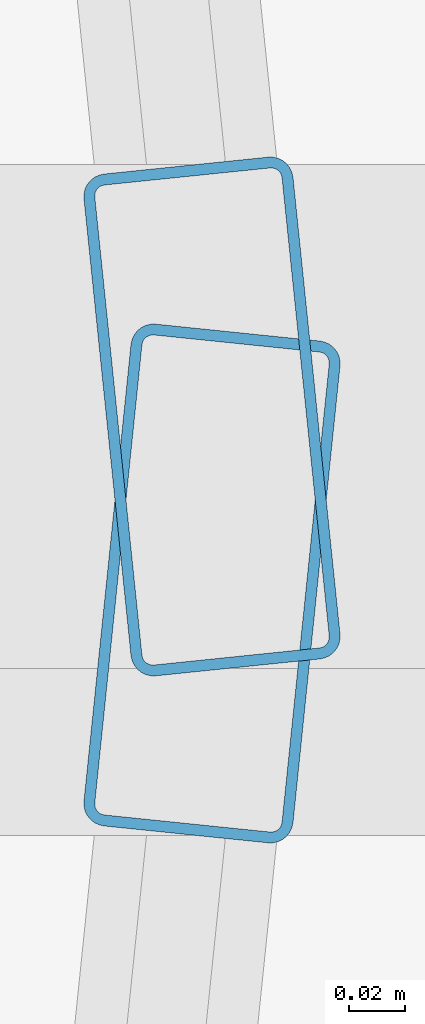
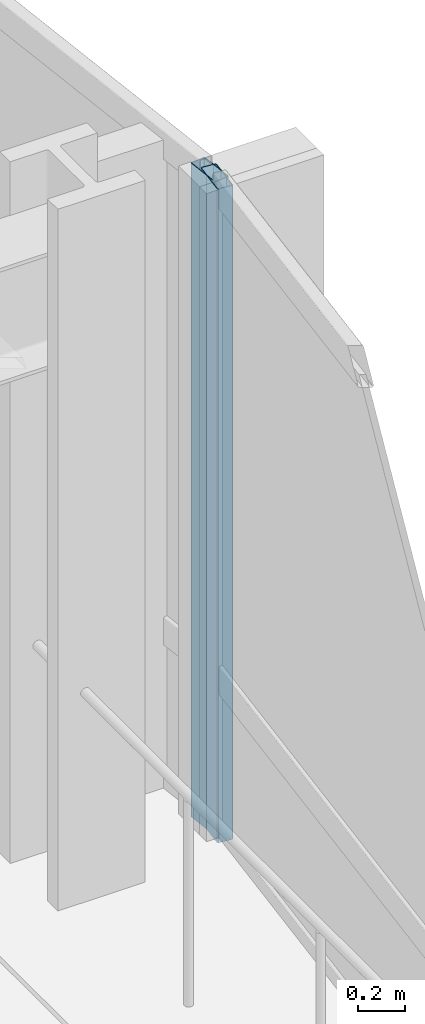
# One storey, part 25 of 34: 2 members, 2 elements without a shape of their own.
"""IFC4 building model written with IfcOpenShell, lengths in metres."""

import ifcopenshell
import ifcopenshell.guid

model = None  # the IFC model being written
_history = None  # IfcOwnerHistory: only IFC2X3 demands one
_inside = {}  # id of a spatial element -> (the spatial element, [elements in it])
_under = {}  # id of a project, library or spatial element -> (it, [spatial elements below it])
_declared = {}  # id of a project -> (the project, [libraries it declares])
_typed = {}  # id of a type object -> (the type object, [elements of that type])
_made_of = {}  # id of a material, layer set ... -> (it, [elements and type objects made of it])


def new_model(schema):
    """Start an empty IFC model of exactly this schema.

    Asked for "IFC4X3", IfcOpenShell would pick the latest addendum, in which some entities
    have other attributes; the version numbers below select the first issue.
    IFC2X3 requires an IfcOwnerHistory on every rooted entity: one is made here for all.
    """
    global model, _history
    if schema == "IFC4X3":
        model = ifcopenshell.file(schema_version=(4, 3, 0, 0))
    else:
        model = ifcopenshell.file(schema=schema)
    _inside.clear()
    _under.clear()
    _declared.clear()
    _typed.clear()
    _made_of.clear()
    _history = None
    if model.schema == "IFC2X3":
        org = make("IfcOrganization", Name="unknown")
        user = make(
            "IfcPersonAndOrganization",
            ThePerson=make("IfcPerson", FamilyName="unknown"),
            TheOrganization=org,
        )
        app = make(
            "IfcApplication",
            ApplicationDeveloper=org,
            Version="unknown",
            ApplicationFullName="unknown",
            ApplicationIdentifier="unknown",
        )
        _history = make(
            "IfcOwnerHistory",
            OwningUser=user,
            OwningApplication=app,
            ChangeAction="ADDED",
            CreationDate=0,
        )
    return model


def make(cls, **values):
    """One entity of the class cls with the attributes given. An attribute that is None is left unset."""
    return model.create_entity(
        cls, **{name: value for name, value in values.items() if value is not None}
    )


def rooted(cls, **values):
    """An entity with a GlobalId (a new one), such as an element, a storey or a relation."""
    return make(cls, GlobalId=ifcopenshell.guid.new(), OwnerHistory=_history, **values)


def si_unit(unit_type, name, prefix=None):
    """IfcSIUnit, for example si_unit("LENGTHUNIT", "METRE", prefix="MILLI")."""
    return make("IfcSIUnit", UnitType=unit_type, Prefix=prefix, Name=name)


def assignment(units):
    """IfcUnitAssignment: the units of a project."""
    return None if units is None else make("IfcUnitAssignment", Units=units)


def point(xyz):
    """IfcCartesianPoint."""
    return None if xyz is None else make("IfcCartesianPoint", Coordinates=xyz)


def direction(xyz):
    """IfcDirection."""
    return None if xyz is None else make("IfcDirection", DirectionRatios=xyz)


def frame(location, z_axis=None, x_axis=None):
    """IfcAxis2Placement3D, a coordinate frame: its origin and axes. An axis left out is left unset."""
    return make(
        "IfcAxis2Placement3D",
        Location=point(location),
        Axis=direction(z_axis),
        RefDirection=direction(x_axis),
    )


def frame_2d(location, x_axis=None):
    """IfcAxis2Placement2D, a coordinate frame in the plane: its origin and x axis."""
    return make(
        "IfcAxis2Placement2D", Location=point(location), RefDirection=direction(x_axis)
    )


def origin():
    """The frame at (0, 0, 0) with its axes left unset."""
    return frame((0.0, 0.0, 0.0))


def origin_2d():
    """The frame at (0, 0) in the plane with its x axis left unset."""
    return frame_2d((0.0, 0.0))


def place(relative_to, where):
    """IfcLocalPlacement: puts the frame where relative to a parent placement (None: the world)."""
    return make(
        "IfcLocalPlacement", PlacementRelTo=relative_to, RelativePlacement=where
    )


def context(
    kind, dimensions, precision=None, world=None, true_north=None, identifier=None
):
    """IfcGeometricRepresentationContext, for example the 3D "Model" context."""
    return make(
        "IfcGeometricRepresentationContext",
        ContextIdentifier=identifier,
        ContextType=kind,
        CoordinateSpaceDimension=dimensions,
        Precision=precision,
        WorldCoordinateSystem=world,
        TrueNorth=true_north,
    )


def subcontext(parent, identifier, kind, view, scale=None):
    """IfcGeometricRepresentationSubContext, for example "Body" below "Model"."""
    return make(
        "IfcGeometricRepresentationSubContext",
        ContextIdentifier=identifier,
        ContextType=kind,
        ParentContext=parent,
        TargetScale=scale,
        TargetView=view,
    )


def project(units=None, contexts=None):
    """IfcProject with its units and contexts."""
    return rooted(
        "IfcProject",
        Name="project",
        RepresentationContexts=contexts,
        UnitsInContext=assignment(units),
    )


def spatial(cls, under=None, at=None, **own):
    """A site, building, storey or space (cls), placed at a placement, below another one or the project."""
    s = rooted(cls, ObjectPlacement=at, **own)
    if under is not None:
        _under.setdefault(under.id(), (under, []))[1].append(s)
    return s


def profile(cls, at=None, kind="AREA", **sizes):
    """A parametric profile (cls). Its sizes go by their IFC names, for example OverallWidth=200.0."""
    return make(cls, ProfileType=kind, Position=at, **sizes)


def hollow_rectangle(**sizes):
    """IfcRectangleHollowProfileDef."""
    return profile("IfcRectangleHollowProfileDef", **sizes)


def extrude(swept, where, along, depth):
    """IfcExtrudedAreaSolid: the profile swept, set in the frame where, extruded along a direction by depth."""
    return make(
        "IfcExtrudedAreaSolid",
        SweptArea=swept,
        Position=where,
        ExtrudedDirection=direction(along),
        Depth=depth,
    )


def shape(context_of_items, identifier, shape_type, items):
    """IfcShapeRepresentation: the items that make up one representation, for example the "Body"."""
    return make(
        "IfcShapeRepresentation",
        ContextOfItems=context_of_items,
        RepresentationIdentifier=identifier,
        RepresentationType=shape_type,
        Items=items,
    )


def material(Name=None, Category=None):
    """IfcMaterial."""
    return make("IfcMaterial", Name=Name, Category=Category)


def layer(
    of_material, thickness, ventilated=None, Name=None, Category=None, Priority=None
):
    """IfcMaterialLayer: one layer of a wall or slab, of a material (None: an air gap)."""
    return make(
        "IfcMaterialLayer",
        Material=of_material,
        LayerThickness=thickness,
        IsVentilated=ventilated,
        Name=Name,
        Category=Category,
        Priority=Priority,
    )


def layer_set(layers, Name=None):
    """IfcMaterialLayerSet."""
    return make("IfcMaterialLayerSet", MaterialLayers=layers, LayerSetName=Name)


def material_profile(
    of_material, cross_section, Name=None, Category=None, Priority=None
):
    """IfcMaterialProfile: a cross section and its material."""
    return make(
        "IfcMaterialProfile",
        Name=Name,
        Material=of_material,
        Profile=cross_section,
        Priority=Priority,
        Category=Category,
    )


def profile_set(profiles, Name=None, composite=None):
    """IfcMaterialProfileSet."""
    return make(
        "IfcMaterialProfileSet",
        Name=Name,
        MaterialProfiles=profiles,
        CompositeProfile=composite,
    )


def made_of(thing, what):
    """Note that an element or type object is made of a material, layer set ...; save() writes the relation."""
    if what is not None:
        _made_of.setdefault(what.id(), (what, []))[1].append(thing)
    return thing


def type_object(cls, material=None, **own):
    """A type object (cls), such as IfcWallType, which elements share."""
    return made_of(rooted(cls, **own), material)


def element(
    cls,
    number,
    at=None,
    inside=None,
    cuts=None,
    type_object=None,
    material=None,
    context=None,
    identifier="Body",
    shape_type=None,
    held_by="IfcProductDefinitionShape",
    body=None,
    shapes=None,
    **own,
):
    """One element of the class cls, such as IfcWall. Its Tag is "e" and its number.

    at: its placement. inside: the storey or other place that contains it. cuts: it is an
    opening in that element (IfcRelVoidsElement). A single representation is given by context,
    identifier, shape_type and body (its items); several are given by shapes. held_by: the class
    of the entity that holds the representations. save() writes the other relations.
    """
    e = rooted(cls, Tag="e%d" % number, ObjectPlacement=at, **own)
    if body is not None:
        shapes = [shape(context, identifier, shape_type, body)]
    if shapes is not None:
        e.Representation = make(held_by, Representations=shapes)
    if inside is not None:
        _inside.setdefault(inside.id(), (inside, []))[1].append(e)
    if cuts is not None:
        rooted(
            "IfcRelVoidsElement", RelatingBuildingElement=cuts, RelatedOpeningElement=e
        )
    if type_object is not None:
        _typed.setdefault(type_object.id(), (type_object, []))[1].append(e)
    return made_of(e, material)


def aggregate(whole, parts):
    """IfcRelAggregates: a whole, such as a stair, and the parts it consists of."""
    return rooted("IfcRelAggregates", RelatingObject=whole, RelatedObjects=parts)


def save(model, path):
    """Write the relations noted so far, then the file.

    IfcRelAggregates (storeys below a building ...), IfcRelContainedInSpatialStructure (elements
    in a storey), IfcRelDefinesByType, IfcRelAssociatesMaterial and IfcRelDeclares: one each for
    every whole, place, type object, material and project.
    """
    for whole, parts in _under.values():
        aggregate(whole, parts)
    for where, things in _inside.values():
        rooted(
            "IfcRelContainedInSpatialStructure",
            RelatedElements=things,
            RelatingStructure=where,
        )
    for kind, things in _typed.values():
        rooted("IfcRelDefinesByType", RelatedObjects=things, RelatingType=kind)
    for what, things in _made_of.values():
        rooted("IfcRelAssociatesMaterial", RelatedObjects=things, RelatingMaterial=what)
    for by, libraries in _declared.values():
        rooted("IfcRelDeclares", RelatingContext=by, RelatedDefinitions=libraries)
    model.write(path)


model = new_model("IFC4")

# Units and contexts
model_context = context("Model", 3, precision=1e-05, world=origin(), true_north=direction((0.0, 1.0)))
body_context = subcontext(model_context, "Body", "Model", "MODEL_VIEW")
ifc_project = project(units=[si_unit("LENGTHUNIT", "METRE"), si_unit("AREAUNIT", "SQUARE_METRE"), si_unit("VOLUMEUNIT", "CUBIC_METRE"), si_unit("PLANEANGLEUNIT", "RADIAN"), si_unit("MASSUNIT", "GRAM", prefix="KILO")], contexts=[model_context])

# Site, building, storey
site_placement = place(None, origin())
site = spatial("IfcSite", under=ifc_project, at=site_placement, CompositionType="ELEMENT")
building_placement = place(site_placement, origin())
building = spatial("IfcBuilding", under=site, at=building_placement, Name="Solvaryn Broadcast Tower", CompositionType="ELEMENT")
storey_placement = place(building_placement, frame((0.0, 0.0, 58.199951171875)))
storey = spatial("IfcBuildingStorey", under=building, at=storey_placement, Name="L13", CompositionType="ELEMENT", Elevation=58.199951171875)

# Curtain wall, member
ifc_material_1 = material(Name="Aluminium and Terracotta Unitised Curtain Wall", Category="masonry")
ifc_layer = layer(ifc_material_1, 0.199951171875)
ifc_layer_set = layer_set([ifc_layer], Name="CW-SYS2-LOWMID")
curtain_wall_type = type_object("IfcCurtainWallType", Name="CW-SYS2-LOWMID", PredefinedType="NOTDEFINED", material=ifc_layer_set)
curtain_wall_1_placement = place(storey_placement, origin())
curtain_wall_1 = element("IfcCurtainWall", 1, at=curtain_wall_1_placement, inside=storey, type_object=curtain_wall_type, Name="L13 Curtain Wall ET1", PredefinedType="NOTDEFINED")
ifc_material_2 = material(Name="Anodised Aluminium 6063-T6", Category="aluminium")
ifc_material_profile = material_profile(ifc_material_2, hollow_rectangle(XDim=0.074951171875, YDim=0.179931640625, WallThickness=0.00390625, InnerFilletRadius=0.00390625, OuterFilletRadius=0.008056640625, at=origin_2d()))
ifc_profile_set = profile_set([ifc_material_profile], Name="Anodised Aluminium 6063-T6")
member_type = type_object("IfcMemberType", Name="CW-MUL-180", PredefinedType="MULLION", material=ifc_profile_set)
member_1_placement = place(storey_placement, frame((63.697021484375, 18.02978515625, 0.0), z_axis=(0.0, 0.0, 1.0), x_axis=(0.99474329889, 0.10240004548, 0.0)))
member_1 = element("IfcMember", 2, at=member_1_placement, type_object=member_type, Name="CWS2 mullion 2", PredefinedType="MULLION", context=body_context, shape_type="SweptSolid", body=[
    extrude(hollow_rectangle(XDim=0.074951171875, YDim=0.179931640625, WallThickness=0.00390625, InnerFilletRadius=0.00390625, OuterFilletRadius=0.008056640625, at=origin_2d()), origin(), (0.0, 0.0, 1.0), 3.420166015625),
])
aggregate(curtain_wall_1, [member_1])

curtain_wall_2_placement = place(storey_placement, origin())
curtain_wall_2 = element("IfcCurtainWall", 3, at=curtain_wall_2_placement, inside=storey, type_object=curtain_wall_type, Name="L13 Curtain Wall ET2", PredefinedType="NOTDEFINED")
member_2_placement = place(storey_placement, frame((63.697021484375, 17.97021484375, 0.0), z_axis=(0.0, 0.0, 1.0), x_axis=(0.99474329889, -0.10240004548, 0.0)))
member_2 = element("IfcMember", 4, at=member_2_placement, type_object=member_type, Name="CWS2 mullion 1", PredefinedType="MULLION", context=body_context, shape_type="SweptSolid", body=[
    extrude(hollow_rectangle(XDim=0.074951171875, YDim=0.179931640625, WallThickness=0.00390625, InnerFilletRadius=0.00390625, OuterFilletRadius=0.008056640625, at=origin_2d()), origin(), (0.0, 0.0, 1.0), 3.420166015625),
])
aggregate(curtain_wall_2, [member_2])

save(model, "model.ifc")
